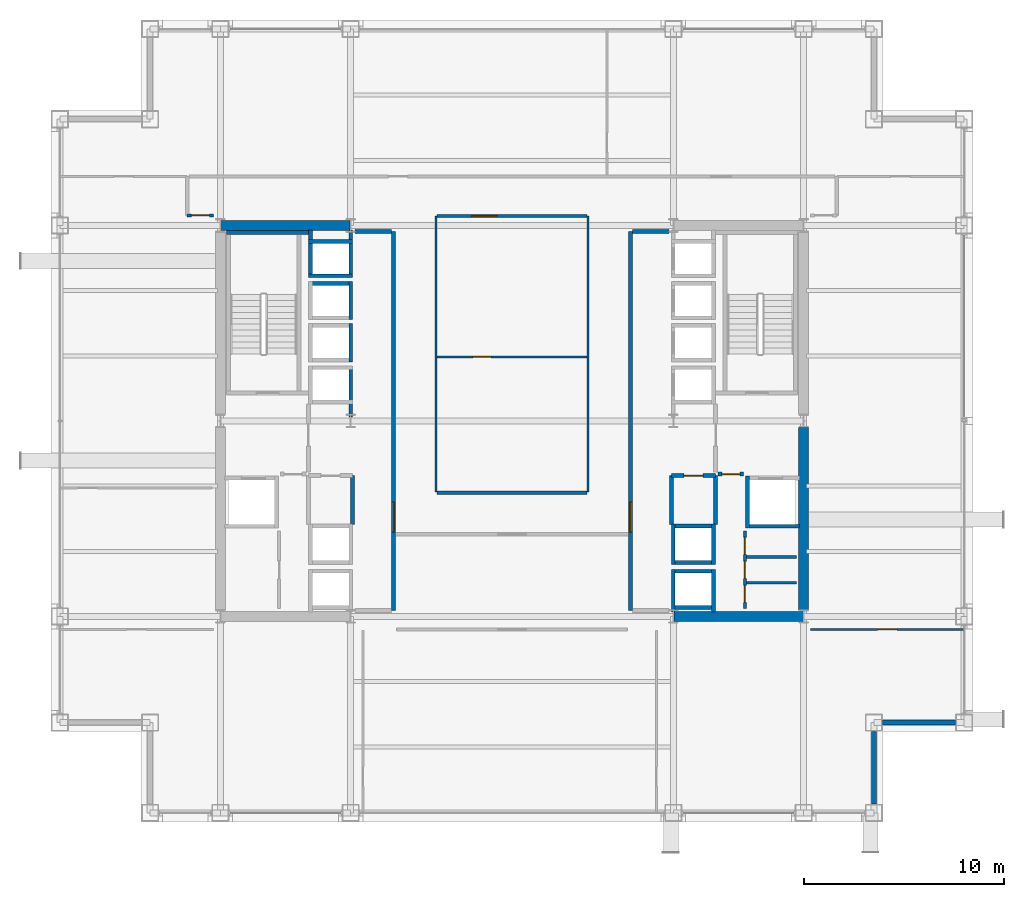
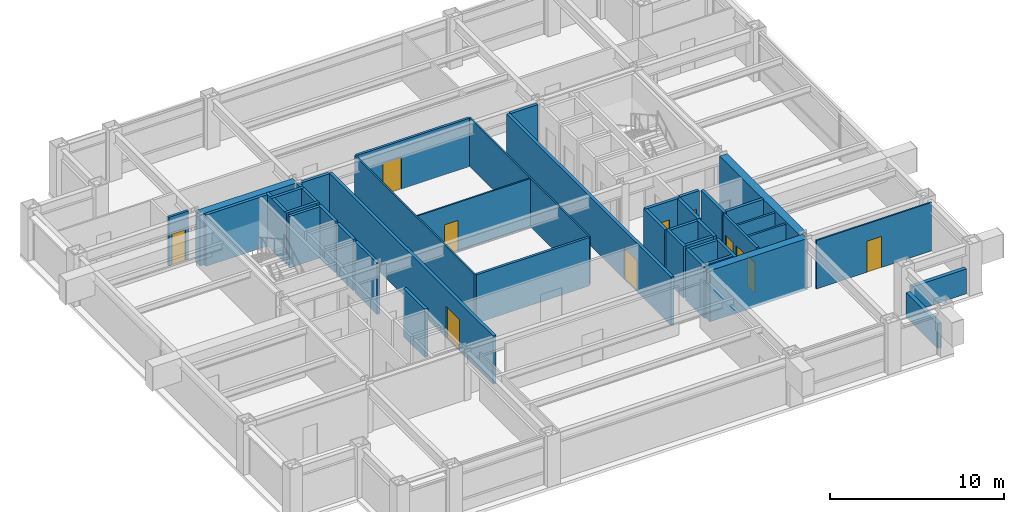
# One storey, part 25 of 28: 43 walls, 11 doors, 11 openings.
"""IFC4 building model written with IfcOpenShell, lengths in metres."""

from ifc_helpers import new_model, si_unit, direction, frame, frame_2d, origin, place, context, subcontext, project, spatial, rectangle, extrude, material, layer, layer_set, type_object, element, fill, save


model = new_model("IFC4")

# Units and contexts
model_context = context("Model", 3, precision=1e-05, world=origin(), true_north=direction((0.0, 1.0)))
body_context = subcontext(model_context, "Body", "Model", "MODEL_VIEW")
ifc_project = project(units=[si_unit("LENGTHUNIT", "METRE"), si_unit("AREAUNIT", "SQUARE_METRE"), si_unit("VOLUMEUNIT", "CUBIC_METRE"), si_unit("PLANEANGLEUNIT", "RADIAN"), si_unit("MASSUNIT", "GRAM", prefix="KILO")], contexts=[model_context])

# Site, building, storey
site_placement = place(None, origin())
site = spatial("IfcSite", under=ifc_project, at=site_placement, CompositionType="ELEMENT")
building_placement = place(site_placement, origin())
building = spatial("IfcBuilding", under=site, at=building_placement, Name="Brelmoor Portico Tower", CompositionType="ELEMENT")
storey_placement = place(building_placement, frame((0.0, 0.0, 91.800048828125)))
storey = spatial("IfcBuildingStorey", under=building, at=storey_placement, Name="L23", CompositionType="ELEMENT", Elevation=91.800048828125)

# Walls
ifc_material_1 = material(Name="Concrete C60", Category="concrete")
ifc_layer_1 = layer(ifc_material_1, 0.5)
ifc_layer_set_1 = layer_set([ifc_layer_1], Name="Concrete C60")
wall_type_1 = type_object("IfcWallType", Name="WL-CORE-500", PredefinedType="SHEAR", material=ifc_layer_set_1)
for number, where, z_axis, x_axis, name in (
    (1, (-14.530029296875, 9.75, -0.199951171875), (0.0, 0.0, 1.0), (1.0, 0.0, 0.0), "L23 WC North Shear Wall"),
    (2, (8.070068359375, -9.75, -0.199951171875), (0.0, 0.0, 1.0), (1.0, 0.0, 0.0), "L23 EC South Shear Wall"),
):
    element("IfcWall", number, at=place(storey_placement, frame(where, z_axis=z_axis, x_axis=x_axis)), inside=storey, type_object=wall_type_1, Name=name, PredefinedType="SHEAR", context=body_context, shape_type="SweptSolid", body=[
        extrude(rectangle(XDim=6.4599609375, YDim=0.5, at=frame_2d((3.22998046875, 0.0))), origin(), (0.0, 0.0, 1.0), 3.599853515625),
    ])
wall_1_placement = place(storey_placement, frame((14.550048828125, -9.425048828125, -0.199951171875), z_axis=(0.0, 0.0, 1.0), x_axis=(0.0, 1.0, 0.0)))
element("IfcWall", 3, at=wall_1_placement, inside=storey, type_object=wall_type_1, Name="L23 EC Outer South Shear Wall", PredefinedType="SHEAR", context=body_context, shape_type="SweptSolid", body=[
    extrude(rectangle(XDim=9.10009765625, YDim=0.5, at=frame_2d((4.550048828125, 0.0))), origin(), (0.0, 0.0, 1.0), 3.599853515625),
])
ifc_material_2 = material(Name="Precast Concrete C40 Insulated Facade Wall", Category="concrete")
ifc_layer_2 = layer(ifc_material_2, 0.25)
ifc_layer_set_2 = layer_set([ifc_layer_2], Name="Precast Concrete C40 Insulated Facade Wall")
wall_type_2 = type_object("IfcWallType", Name="WL-EXT-250", PredefinedType="STANDARD", material=ifc_layer_set_2)
for number, where, z_axis, x_axis, name in (
    (4, (18.485107421875, -15.050048828125, 0.0), (0.0, 0.0, 1.0), (1.0, 0.0, 0.0), "L23 Corner Notch Facade Wall NSEH1"),
    (5, (18.050048828125, -19.114990234375, 0.0), (0.0, 0.0, 1.0), (0.0, 1.0, 0.0), "L23 Corner Notch Facade Wall NSEV1"),
):
    element("IfcWall", number, at=place(storey_placement, frame(where, z_axis=z_axis, x_axis=x_axis)), inside=storey, type_object=wall_type_2, Name=name, PredefinedType="STANDARD", context=body_context, shape_type="SweptSolid", body=[
        extrude(rectangle(XDim=3.6298828125, YDim=0.25, at=frame_2d((1.81494140625, 0.0))), origin(), (0.0, 0.0, 1.0), 1.739990234375),
    ])
ifc_material_3 = material(Name="Demountable Glazed Office Partition", Category="aluminium")
ifc_layer_3 = layer(ifc_material_3, 0.10009765625)
ifc_layer_set_3 = layer_set([ifc_layer_3], Name="Demountable Glazed Office Partition")
wall_type_3 = type_object("IfcWallType", Name="WL-PART-100", PredefinedType="PARTITIONING", material=ifc_layer_set_3)
for number, where, z_axis, x_axis, name in (
    (6, (-3.800048828125, -3.550048828125, 0.0), (0.0, 0.0, 1.0), (0.0, 1.0, 0.0), "L23 Central Studio West Wall"),
    (7, (3.800048828125, -3.550048828125, 0.0), (0.0, 0.0, 1.0), (0.0, 1.0, 0.0), "L23 Central Studio East Wall"),
):
    element("IfcWall", number, at=place(storey_placement, frame(where, z_axis=z_axis, x_axis=x_axis)), inside=storey, type_object=wall_type_3, Name=name, PredefinedType="PARTITIONING", context=body_context, shape_type="SweptSolid", body=[
        extrude(rectangle(XDim=13.77001953125, YDim=0.10009765625, at=frame_2d((6.885009765625, 0.0))), origin(), (0.0, 0.0, 1.0), 3.39990234375),
    ])

# Wall, opening, door
wall_2_placement = place(storey_placement, frame((-3.75, 3.199951171875, 0.0), z_axis=(0.0, 0.0, 1.0), x_axis=(1.0, 0.0, 0.0)))
wall_2 = element("IfcWall", 8, at=wall_2_placement, inside=storey, type_object=wall_type_3, Name="L23 Central Pantry Divider", PredefinedType="PARTITIONING", context=body_context, shape_type="SweptSolid", body=[
    extrude(rectangle(XDim=7.5, YDim=0.10009765625, at=frame_2d((3.75, 0.0))), origin(), (0.0, 0.0, 1.0), 3.39990234375),
])
opening_1_placement = place(wall_2_placement, frame((1.800048828125, 0.0, 0.0)))
opening_1 = element("IfcOpeningElement", 9, at=opening_1_placement, cuts=wall_2, Name="Opening D-IN1", PredefinedType="OPENING", context=body_context, shape_type="SweptSolid", body=[
    extrude(rectangle(XDim=0.89990234375, YDim=2.14990234375, at=frame_2d((0.449951171875, 1.074951171875))), frame((0.0, 0.06005859375, 0.0), z_axis=(0.0, -1.0, 0.0), x_axis=(1.0, 0.0, 0.0)), (0.0, 0.0, 1.0), 0.1201171875),
])
ifc_material_4 = material(Name="Lacquered Timber Suite Door", Category="wood")
door_type_1 = type_object("IfcDoorType", Name="DR-INT-900", OperationType="NOTDEFINED", PredefinedType="DOOR", material=ifc_material_4)
door_1_placement = place(opening_1_placement, origin())
door_1 = element("IfcDoor", 10, at=door_1_placement, inside=storey, type_object=door_type_1, Name="D-1017 L23 Central Pantry Connecting Door", OperationType="SINGLE_SWING_RIGHT", OverallHeight=2.14990234375, OverallWidth=0.89990234375, PredefinedType="DOOR", context=body_context, shape_type="SweptSolid", body=[
    extrude(rectangle(XDim=0.89990234375, YDim=2.14990234375, at=frame_2d((0.449951171875, 1.074951171875))), frame((0.0, 0.02490234375, 0.0), z_axis=(0.0, -1.0, 0.0), x_axis=(1.0, 0.0, 0.0)), (0.0, 0.0, 1.0), 0.050048828125),
])
fill(opening_1, door_1)

wall_3_placement = place(storey_placement, frame((14.8798828125, -10.39990234375, 0.0), z_axis=(0.0, 0.0, 1.0), x_axis=(1.0, 0.0, 0.0)))
wall_3 = element("IfcWall", 11, at=wall_3_placement, inside=storey, type_object=wall_type_3, Name="L23 South Wing Closure ER", PredefinedType="PARTITIONING", context=body_context, shape_type="SweptSolid", body=[
    extrude(rectangle(XDim=7.68017578125, YDim=0.10009765625, at=frame_2d((3.840087890625, 0.0))), origin(), (0.0, 0.0, 1.0), 3.39990234375),
])
opening_2_placement = place(wall_3_placement, frame((3.360107421875, 0.0, 0.0)))
opening_2 = element("IfcOpeningElement", 12, at=opening_2_placement, cuts=wall_3, Name="Opening D-IN2", PredefinedType="OPENING", context=body_context, shape_type="SweptSolid", body=[
    extrude(rectangle(XDim=0.9599609375, YDim=2.179931640625, at=frame_2d((0.47998046875, 1.08984375))), frame((0.0, 0.06005859375, 0.0), z_axis=(0.0, -1.0, 0.0), x_axis=(1.0, 0.0, 0.0)), (0.0, 0.0, 1.0), 0.1201171875),
])
door_type_2 = type_object("IfcDoorType", Name="DR-INT-950", OperationType="NOTDEFINED", PredefinedType="DOOR", material=ifc_material_4)
door_2_placement = place(opening_2_placement, origin())
door_2 = element("IfcDoor", 13, at=door_2_placement, inside=storey, type_object=door_type_2, Name="D-1041 L23 ER Wing South Suite Door", OperationType="SINGLE_SWING_RIGHT", OverallHeight=2.179931640625, OverallWidth=0.9599609375, PredefinedType="DOOR", context=body_context, shape_type="SweptSolid", body=[
    extrude(rectangle(XDim=0.9599609375, YDim=2.179931640625, at=frame_2d((0.47998046875, 1.08984375))), frame((0.0, 0.02490234375, 0.0), z_axis=(0.0, -1.0, 0.0), x_axis=(1.0, 0.0, 0.0)), (0.0, 0.0, 1.0), 0.050048828125),
])
fill(opening_2, door_2)

# Walls
ifc_material_5 = material(Name="Insulated Stud Suite Partition", Category="gypsum")
ifc_layer_4 = layer(ifc_material_5, 0.139892578125)
ifc_layer_set_4 = layer_set([ifc_layer_4], Name="Insulated Stud Suite Partition")
wall_type_4 = type_object("IfcWallType", Name="WL-PART-140", PredefinedType="PARTITIONING", material=ifc_layer_set_4)
for number, where, z_axis, x_axis, name in (
    (14, (11.699951171875, -8.066650390625, 0.0), (0.0, 0.0, 1.0), (1.0, 0.0, 0.0), "L23 E Core WC Divider 1"),
    (15, (11.699951171875, -6.783203125, 0.0), (0.0, 0.0, 1.0), (1.0, 0.0, 0.0), "L23 E Core WC Divider 2"),
):
    element("IfcWall", number, at=place(storey_placement, frame(where, z_axis=z_axis, x_axis=x_axis)), inside=storey, type_object=wall_type_4, Name=name, PredefinedType="PARTITIONING", context=body_context, shape_type="SweptSolid", body=[
        extrude(rectangle(XDim=2.5, YDim=0.139892578125, at=frame_2d((1.25, 0.0))), origin(), (0.0, 0.0, 1.0), 3.39990234375),
    ])

# Wall, openings, doors
ifc_material_6 = material(Name="Twin-Frame Acoustic Partition", Category="gypsum")
ifc_layer_5 = layer(ifc_material_6, 0.159912109375)
ifc_layer_set_5 = layer_set([ifc_layer_5], Name="Twin-Frame Acoustic Partition")
wall_type_5 = type_object("IfcWallType", Name="WL-PART-160", PredefinedType="PARTITIONING", material=ifc_layer_set_5)
wall_4_placement = place(storey_placement, frame((11.6201171875, -9.35009765625, 0.0), z_axis=(0.0, 0.0, 1.0), x_axis=(0.0, 1.0, 0.0)))
wall_4 = element("IfcWall", 16, at=wall_4_placement, inside=storey, type_object=wall_type_5, Name="L23 E Core Service Front Wall", PredefinedType="PARTITIONING", context=body_context, shape_type="SweptSolid", body=[
    extrude(rectangle(XDim=3.85009765625, YDim=0.159912109375, at=frame_2d((1.925048828125, 0.0))), origin(), (0.0, 0.0, 1.0), 3.39990234375),
])
opening_3_placement = place(wall_4_placement, frame((0.300048828125, 0.0, 0.0)))
opening_3 = element("IfcOpeningElement", 17, at=opening_3_placement, cuts=wall_4, Name="Opening D-WC1", PredefinedType="OPENING", context=body_context, shape_type="SweptSolid", body=[
    extrude(rectangle(XDim=0.85009765625, YDim=2.1201171875, at=frame_2d((0.425048828125, 1.06005859375))), frame((0.0, 0.08984375, 0.0), z_axis=(0.0, -1.0, 0.0), x_axis=(1.0, 0.0, 0.0)), (0.0, 0.0, 1.0), 0.179931640625),
])
opening_4_placement = place(wall_4_placement, frame((1.5, 0.0, 0.0)))
opening_4 = element("IfcOpeningElement", 18, at=opening_4_placement, cuts=wall_4, Name="Opening D-WC1", PredefinedType="OPENING", context=body_context, shape_type="SweptSolid", body=[
    extrude(rectangle(XDim=0.85009765625, YDim=2.1201171875, at=frame_2d((0.425048828125, 1.06005859375))), frame((0.0, 0.08984375, 0.0), z_axis=(0.0, -1.0, 0.0), x_axis=(1.0, 0.0, 0.0)), (0.0, 0.0, 1.0), 0.179931640625),
])
opening_5_placement = place(wall_4_placement, frame((2.699951171875, 0.0, 0.0)))
opening_5 = element("IfcOpeningElement", 19, at=opening_5_placement, cuts=wall_4, Name="Opening D-WC1", PredefinedType="OPENING", context=body_context, shape_type="SweptSolid", body=[
    extrude(rectangle(XDim=0.85009765625, YDim=2.1201171875, at=frame_2d((0.425048828125, 1.06005859375))), frame((0.0, 0.08984375, 0.0), z_axis=(0.0, -1.0, 0.0), x_axis=(1.0, 0.0, 0.0)), (0.0, 0.0, 1.0), 0.179931640625),
])
ifc_material_7 = material(Name="Moisture-Resistant Laminate WC Door", Category="timber")
door_type_3 = type_object("IfcDoorType", Name="DR-WC-850", OperationType="NOTDEFINED", PredefinedType="DOOR", material=ifc_material_7)
door_3_placement = place(opening_3_placement, origin())
door_3 = element("IfcDoor", 20, at=door_3_placement, inside=storey, type_object=door_type_3, Name="D-1019 L23 E Male WC Door", OperationType="SINGLE_SWING_LEFT", OverallHeight=2.1201171875, OverallWidth=0.85009765625, PredefinedType="DOOR", context=body_context, shape_type="SweptSolid", body=[
    extrude(rectangle(XDim=0.85009765625, YDim=2.1201171875, at=frame_2d((0.425048828125, 1.06005859375))), frame((0.0, 0.02490234375, 0.0), z_axis=(0.0, -1.0, 0.0), x_axis=(1.0, 0.0, 0.0)), (0.0, 0.0, 1.0), 0.050048828125),
])
fill(opening_3, door_3)
door_4_placement = place(opening_4_placement, origin())
door_4 = element("IfcDoor", 21, at=door_4_placement, inside=storey, type_object=door_type_3, Name="D-1020 L23 E Female WC Door", OperationType="SINGLE_SWING_RIGHT", OverallHeight=2.1201171875, OverallWidth=0.85009765625, PredefinedType="DOOR", context=body_context, shape_type="SweptSolid", body=[
    extrude(rectangle(XDim=0.85009765625, YDim=2.1201171875, at=frame_2d((0.425048828125, 1.06005859375))), frame((0.0, 0.02490234375, 0.0), z_axis=(0.0, -1.0, 0.0), x_axis=(1.0, 0.0, 0.0)), (0.0, 0.0, 1.0), 0.050048828125),
])
fill(opening_4, door_4)
door_5_placement = place(opening_5_placement, origin())
door_5 = element("IfcDoor", 22, at=door_5_placement, inside=storey, type_object=door_type_3, Name="D-1021 L23 E Janitor Store Door", OperationType="SINGLE_SWING_LEFT", OverallHeight=2.1201171875, OverallWidth=0.85009765625, PredefinedType="DOOR", context=body_context, shape_type="SweptSolid", body=[
    extrude(rectangle(XDim=0.85009765625, YDim=2.1201171875, at=frame_2d((0.425048828125, 1.06005859375))), frame((0.0, 0.02490234375, 0.0), z_axis=(0.0, -1.0, 0.0), x_axis=(1.0, 0.0, 0.0)), (0.0, 0.0, 1.0), 0.050048828125),
])
fill(opening_5, door_5)

# Wall
wall_5_placement = place(storey_placement, frame((-3.75, -3.580078125, 0.0), z_axis=(0.0, 0.0, 1.0), x_axis=(1.0, 0.0, 0.0)))
element("IfcWall", 23, at=wall_5_placement, inside=storey, type_object=wall_type_5, Name="L23 Central Studio South Wall", PredefinedType="PARTITIONING", context=body_context, shape_type="SweptSolid", body=[
    extrude(rectangle(XDim=7.5, YDim=0.159912109375, at=frame_2d((3.75, 0.0))), origin(), (0.0, 0.0, 1.0), 3.39990234375),
])

# Wall, opening, door
wall_6_placement = place(storey_placement, frame((-3.75, 10.219970703125, 0.0), z_axis=(0.0, 0.0, 1.0), x_axis=(1.0, 0.0, 0.0)))
wall_6 = element("IfcWall", 24, at=wall_6_placement, inside=storey, type_object=wall_type_5, Name="L23 Central Meeting North Wall", PredefinedType="PARTITIONING", context=body_context, shape_type="SweptSolid", body=[
    extrude(rectangle(XDim=7.5, YDim=0.159912109375, at=frame_2d((3.75, 0.0))), origin(), (0.0, 0.0, 1.0), 3.39990234375),
])
opening_6_placement = place(wall_6_placement, frame((1.75, 0.0, 0.0)))
opening_6 = element("IfcOpeningElement", 25, at=opening_6_placement, cuts=wall_6, Name="Opening D-SU1", PredefinedType="OPENING", context=body_context, shape_type="SweptSolid", body=[
    extrude(rectangle(XDim=1.239990234375, YDim=2.239990234375, at=frame_2d((0.6201171875, 1.1201171875))), frame((0.0, 0.08984375, 0.0), z_axis=(0.0, -1.0, 0.0), x_axis=(1.0, 0.0, 0.0)), (0.0, 0.0, 1.0), 0.179931640625),
])
ifc_material_8 = material(Name="Glazed Timber Executive Suite Door", Category="wood")
door_type_4 = type_object("IfcDoorType", Name="DR-SUITE-1200", OperationType="NOTDEFINED", PredefinedType="DOOR", material=ifc_material_8)
door_6_placement = place(opening_6_placement, origin())
door_6 = element("IfcDoor", 26, at=door_6_placement, inside=storey, type_object=door_type_4, Name="D-1018 L23 Client Meeting Room Door", OperationType="SINGLE_SWING_LEFT", OverallHeight=2.239990234375, OverallWidth=1.239990234375, PredefinedType="DOOR", context=body_context, shape_type="SweptSolid", body=[
    extrude(rectangle(XDim=1.239990234375, YDim=2.239990234375, at=frame_2d((0.6201171875, 1.1201171875))), frame((0.0, 0.02490234375, 0.0), z_axis=(0.0, -1.0, 0.0), x_axis=(1.0, 0.0, 0.0)), (0.0, 0.0, 1.0), 0.050048828125),
])
fill(opening_6, door_6)

wall_7_placement = place(storey_placement, frame((-16.199951171875, 10.25, 0.0), z_axis=(0.0, 0.0, 1.0), x_axis=(1.0, 0.0, 0.0)))
wall_7 = element("IfcWall", 27, at=wall_7_placement, inside=storey, type_object=wall_type_5, Name="L23 W Wing North Entry Wall", PredefinedType="PARTITIONING", context=body_context, shape_type="SweptSolid", body=[
    extrude(rectangle(XDim=1.320068359375, YDim=0.159912109375, at=frame_2d((0.66015625, 0.0))), origin(), (0.0, 0.0, 1.0), 3.39990234375),
])
opening_7_placement = place(wall_7_placement, frame((0.2099609375, 0.0, 0.0)))
opening_7 = element("IfcOpeningElement", 28, at=opening_7_placement, cuts=wall_7, Name="Opening D-IN1", PredefinedType="OPENING", context=body_context, shape_type="SweptSolid", body=[
    extrude(rectangle(XDim=0.89990234375, YDim=2.14990234375, at=frame_2d((0.449951171875, 1.074951171875))), frame((0.0, 0.08984375, 0.0), z_axis=(0.0, -1.0, 0.0), x_axis=(1.0, 0.0, 0.0)), (0.0, 0.0, 1.0), 0.179931640625),
])
door_7_placement = place(opening_7_placement, origin())
door_7 = element("IfcDoor", 29, at=door_7_placement, inside=storey, type_object=door_type_1, Name="D-1044 L23 W Wing Entry Door", OperationType="SINGLE_SWING_LEFT", OverallHeight=2.14990234375, OverallWidth=0.89990234375, PredefinedType="DOOR", context=body_context, shape_type="SweptSolid", body=[
    extrude(rectangle(XDim=0.89990234375, YDim=2.14990234375, at=frame_2d((0.449951171875, 1.074951171875))), frame((0.0, 0.02490234375, 0.0), z_axis=(0.0, -1.0, 0.0), x_axis=(1.0, 0.0, 0.0)), (0.0, 0.0, 1.0), 0.050048828125),
])
fill(opening_7, door_7)

ifc_material_9 = material(Name="Double-Stud Gypsum Fire Partition", Category="gypsum")
ifc_layer_6 = layer(ifc_material_9, 0.199951171875)
ifc_layer_set_6 = layer_set([ifc_layer_6], Name="Double-Stud Gypsum Fire Partition")
wall_type_6 = type_object("IfcWallType", Name="WL-PART-200", PredefinedType="PARTITIONING", material=ifc_layer_set_6)
wall_8_placement = place(storey_placement, frame((-5.89990234375, -9.449951171875, 0.0), z_axis=(0.0, 0.0, 1.0), x_axis=(0.0, 1.0, 0.0)))
wall_8 = element("IfcWall", 30, at=wall_8_placement, inside=storey, type_object=wall_type_6, Name="L23 W Core Lobby Compartment Wall", PredefinedType="PARTITIONING", context=body_context, shape_type="SweptSolid", body=[
    extrude(rectangle(XDim=18.89990234375, YDim=0.199951171875, at=frame_2d((9.449951171875, 0.0))), origin(), (0.0, 0.0, 1.0), 3.39990234375),
])
opening_8_placement = place(wall_8_placement, frame((3.89990234375, 0.0, 0.0)))
opening_8 = element("IfcOpeningElement", 31, at=opening_8_placement, cuts=wall_8, Name="Opening D-LB1", PredefinedType="OPENING", context=body_context, shape_type="SweptSolid", body=[
    extrude(rectangle(XDim=1.5, YDim=2.199951171875, at=frame_2d((0.75, 1.10009765625))), frame((0.0, 0.10986328125, 0.0), z_axis=(0.0, -1.0, 0.0), x_axis=(1.0, 0.0, 0.0)), (0.0, 0.0, 1.0), 0.219970703125),
])
ifc_material_10 = material(Name="Double-Leaf Glazed Steel Fire Door", Category="steel")
door_type_5 = type_object("IfcDoorType", Name="DR-LOBBY-1500", OperationType="NOTDEFINED", PredefinedType="DOOR", material=ifc_material_10)
door_8_placement = place(opening_8_placement, origin())
door_8 = element("IfcDoor", 32, at=door_8_placement, inside=storey, type_object=door_type_5, Name="D-1030 L23 W Lift Lobby Main Door", OperationType="DOUBLE_DOOR_SINGLE_SWING", OverallHeight=2.199951171875, OverallWidth=1.5, PredefinedType="DOOR", context=body_context, shape_type="SweptSolid", body=[
    extrude(rectangle(XDim=1.5, YDim=2.199951171875, at=frame_2d((0.75, 1.10009765625))), frame((0.0, 0.02490234375, 0.0), z_axis=(0.0, -1.0, 0.0), x_axis=(1.0, 0.0, 0.0)), (0.0, 0.0, 1.0), 0.050048828125),
])
fill(opening_8, door_8)

# Walls
wall_9_placement = place(storey_placement, frame((-6.02001953125, 9.449951171875, 0.0), z_axis=(0.0, 0.0, 1.0), x_axis=(-1.0, 0.0, 0.0)))
element("IfcWall", 33, at=wall_9_placement, inside=storey, type_object=wall_type_6, Name="L23 W Lift Lobby North End Wall", PredefinedType="PARTITIONING", context=body_context, shape_type="SweptSolid", body=[
    extrude(rectangle(XDim=1.800048828125, YDim=0.199951171875, at=frame_2d((0.89990234375, 0.0))), origin(), (0.0, 0.0, 1.0), 3.39990234375),
])
wall_10_placement = place(storey_placement, frame((-7.9599609375, -5.159912109375, 0.0), z_axis=(0.0, 0.0, 1.0), x_axis=(0.0, 1.0, 0.0)))
element("IfcWall", 34, at=wall_10_placement, inside=storey, type_object=wall_type_6, Name="L23 W Electrical Switchgear Closet Inner Wall", PredefinedType="PARTITIONING", context=body_context, shape_type="SweptSolid", body=[
    extrude(rectangle(XDim=2.43994140625, YDim=0.199951171875, at=frame_2d((1.219970703125, 0.0))), origin(), (0.0, 0.0, 1.0), 3.39990234375),
])

# Wall, opening, door
wall_11_placement = place(storey_placement, frame((5.89990234375, -9.449951171875, 0.0), z_axis=(0.0, 0.0, 1.0), x_axis=(0.0, 1.0, 0.0)))
wall_11 = element("IfcWall", 35, at=wall_11_placement, inside=storey, type_object=wall_type_6, Name="L23 E Core Lobby Compartment Wall", PredefinedType="PARTITIONING", context=body_context, shape_type="SweptSolid", body=[
    extrude(rectangle(XDim=18.89990234375, YDim=0.199951171875, at=frame_2d((9.449951171875, 0.0))), origin(), (0.0, 0.0, 1.0), 3.39990234375),
])
opening_9_placement = place(wall_11_placement, frame((3.89990234375, 0.0, 0.0)))
opening_9 = element("IfcOpeningElement", 36, at=opening_9_placement, cuts=wall_11, Name="Opening D-LB1", PredefinedType="OPENING", context=body_context, shape_type="SweptSolid", body=[
    extrude(rectangle(XDim=1.5, YDim=2.199951171875, at=frame_2d((0.75, 1.10009765625))), frame((0.0, 0.10986328125, 0.0), z_axis=(0.0, -1.0, 0.0), x_axis=(1.0, 0.0, 0.0)), (0.0, 0.0, 1.0), 0.219970703125),
])
door_9_placement = place(opening_9_placement, origin())
door_9 = element("IfcDoor", 37, at=door_9_placement, inside=storey, type_object=door_type_5, Name="D-1029 L23 E Lift Lobby Main Door", OperationType="DOUBLE_DOOR_SINGLE_SWING", OverallHeight=2.199951171875, OverallWidth=1.5, PredefinedType="DOOR", context=body_context, shape_type="SweptSolid", body=[
    extrude(rectangle(XDim=1.5, YDim=2.199951171875, at=frame_2d((0.75, 1.10009765625))), frame((0.0, 0.02490234375, 0.0), z_axis=(0.0, -1.0, 0.0), x_axis=(1.0, 0.0, 0.0)), (0.0, 0.0, 1.0), 0.050048828125),
])
fill(opening_9, door_9)

# Wall
wall_12_placement = place(storey_placement, frame((6.02001953125, 9.449951171875, 0.0), z_axis=(0.0, 0.0, 1.0), x_axis=(1.0, 0.0, 0.0)))
element("IfcWall", 38, at=wall_12_placement, inside=storey, type_object=wall_type_6, Name="L23 E Lift Lobby North End Wall", PredefinedType="PARTITIONING", context=body_context, shape_type="SweptSolid", body=[
    extrude(rectangle(XDim=1.800048828125, YDim=0.199951171875, at=frame_2d((0.89990234375, 0.0))), origin(), (0.0, 0.0, 1.0), 3.39990234375),
])

# Wall, opening, door
wall_13_placement = place(storey_placement, frame((10.280029296875, -2.64990234375, 0.0), z_axis=(0.0, 0.0, 1.0), x_axis=(1.0, 0.0, 0.0)))
wall_13 = element("IfcWall", 39, at=wall_13_placement, inside=storey, type_object=wall_type_6, Name="L23 E Firefighting Lobby South Wall", PredefinedType="PARTITIONING", context=body_context, shape_type="SweptSolid", body=[
    extrude(rectangle(XDim=1.27001953125, YDim=0.199951171875, at=frame_2d((0.635009765625, 0.0))), origin(), (0.0, 0.0, 1.0), 3.39990234375),
])
opening_10_placement = place(wall_13_placement, frame((0.18505859375, 0.0, 0.0)))
opening_10 = element("IfcOpeningElement", 40, at=opening_10_placement, cuts=wall_13, Name="Opening D-IN1", PredefinedType="OPENING", context=body_context, shape_type="SweptSolid", body=[
    extrude(rectangle(XDim=0.89990234375, YDim=2.14990234375, at=frame_2d((0.449951171875, 1.074951171875))), frame((0.0, 0.10986328125, 0.0), z_axis=(0.0, -1.0, 0.0), x_axis=(1.0, 0.0, 0.0)), (0.0, 0.0, 1.0), 0.219970703125),
])
door_10_placement = place(opening_10_placement, origin())
door_10 = element("IfcDoor", 41, at=door_10_placement, inside=storey, type_object=door_type_1, Name="D-1022 L23 E Core Service Vestibule Door", OperationType="SINGLE_SWING_LEFT", OverallHeight=2.14990234375, OverallWidth=0.89990234375, PredefinedType="DOOR", context=body_context, shape_type="SweptSolid", body=[
    extrude(rectangle(XDim=0.89990234375, YDim=2.14990234375, at=frame_2d((0.449951171875, 1.074951171875))), frame((0.0, 0.02490234375, 0.0), z_axis=(0.0, -1.0, 0.0), x_axis=(1.0, 0.0, 0.0)), (0.0, 0.0, 1.0), 0.050048828125),
])
fill(opening_10, door_10)

wall_14_placement = place(storey_placement, frame((7.9599609375, -2.719970703125, 0.0), z_axis=(0.0, 0.0, 1.0), x_axis=(1.0, 0.0, 0.0)))
wall_14 = element("IfcWall", 42, at=wall_14_placement, inside=storey, type_object=wall_type_6, Name="L23 E Electrical Switchgear Closet Wall", PredefinedType="PARTITIONING", context=body_context, shape_type="SweptSolid", body=[
    extrude(rectangle(XDim=2.199951171875, YDim=0.199951171875, at=frame_2d((1.10009765625, 0.0))), origin(), (0.0, 0.0, 1.0), 3.39990234375),
])
opening_11_placement = place(wall_14_placement, frame((0.6201171875, 0.0, 0.0)))
opening_11 = element("IfcOpeningElement", 43, at=opening_11_placement, cuts=wall_14, Name="Opening D-FR4", PredefinedType="OPENING", context=body_context, shape_type="SweptSolid", body=[
    extrude(rectangle(XDim=0.949951171875, YDim=2.10009765625, at=frame_2d((0.47509765625, 1.050048828125))), frame((0.0, 0.10986328125, 0.0), z_axis=(0.0, -1.0, 0.0), x_axis=(1.0, 0.0, 0.0)), (0.0, 0.0, 1.0), 0.219970703125),
])
ifc_material_11 = material(Name="Painted Galvanised Steel Riser Door", Category="steel")
door_type_6 = type_object("IfcDoorType", Name="DR-FIRE-950", OperationType="NOTDEFINED", PredefinedType="DOOR", material=ifc_material_11)
door_11_placement = place(opening_11_placement, origin())
door_11 = element("IfcDoor", 44, at=door_11_placement, inside=storey, type_object=door_type_6, Name="D-1025 L23 E Electrical Switchgear Closet Door", OperationType="SINGLE_SWING_RIGHT", OverallHeight=2.10009765625, OverallWidth=0.949951171875, PredefinedType="DOOR", context=body_context, shape_type="SweptSolid", body=[
    extrude(rectangle(XDim=0.949951171875, YDim=2.10009765625, at=frame_2d((0.47509765625, 1.050048828125))), frame((0.0, 0.02490234375, 0.0), z_axis=(0.0, -1.0, 0.0), x_axis=(1.0, 0.0, 0.0)), (0.0, 0.0, 1.0), 0.050048828125),
])
fill(opening_11, door_11)

# Walls
for number, where, z_axis, x_axis, name in (
    (45, (7.9599609375, -5.159912109375, 0.0), (0.0, 0.0, 1.0), (0.0, 1.0, 0.0), "L23 E Electrical Switchgear Closet Inner Wall"),
    (46, (10.159912109375, -5.159912109375, 0.0), (0.0, 0.0, 1.0), (0.0, 1.0, 0.0), "L23 E Electrical Switchgear Closet Outer Wall"),
):
    element("IfcWall", number, at=place(storey_placement, frame(where, z_axis=z_axis, x_axis=x_axis)), inside=storey, type_object=wall_type_6, Name=name, PredefinedType="PARTITIONING", context=body_context, shape_type="SweptSolid", body=[
        extrude(rectangle(XDim=2.43994140625, YDim=0.199951171875, at=frame_2d((1.219970703125, 0.0))), origin(), (0.0, 0.0, 1.0), 3.39990234375),
    ])
ifc_material_12 = material(Name="Precast Concrete C40", Category="concrete")
ifc_layer_7 = layer(ifc_material_12, 0.18994140625)
ifc_layer_set_7 = layer_set([ifc_layer_7], Name="Precast Concrete C40")
wall_type_7 = type_object("IfcWallType", Name="WL-SHAFT-180", PredefinedType="SOLIDWALL", material=ifc_layer_set_7)
wall_15_placement = place(storey_placement, frame((-8.044921875, 0.2099609375, -0.199951171875), z_axis=(0.0, 0.0, 1.0), x_axis=(0.0, 1.0, 0.0)))
element("IfcWall", 47, at=wall_15_placement, inside=storey, type_object=wall_type_7, Name="L23 Lift PL1 Hoistway Front Wall", PredefinedType="SOLIDWALL", context=body_context, shape_type="SweptSolid", body=[
    extrude(rectangle(XDim=2.5400390625, YDim=0.18994140625, at=frame_2d((1.27001953125, 0.0))), origin(), (0.0, 0.0, 1.0), 3.599853515625),
])
wall_16_placement = place(storey_placement, frame((-8.044921875, 2.949951171875, -0.199951171875), z_axis=(0.0, 0.0, 1.0), x_axis=(0.0, 1.0, 0.0)))
element("IfcWall", 48, at=wall_16_placement, inside=storey, type_object=wall_type_7, Name="L23 Lift PL2 Hoistway Front Wall", PredefinedType="SOLIDWALL", context=body_context, shape_type="SweptSolid", body=[
    extrude(rectangle(XDim=1.900146484375, YDim=0.18994140625, at=frame_2d((0.9501953125, 0.0))), origin(), (0.0, 0.0, 1.0), 3.599853515625),
])
wall_17_placement = place(storey_placement, frame((-8.044921875, 5.050048828125, -0.199951171875), z_axis=(0.0, 0.0, 1.0), x_axis=(0.0, 1.0, 0.0)))
element("IfcWall", 49, at=wall_17_placement, inside=storey, type_object=wall_type_7, Name="L23 Lift PL3 Hoistway Front Wall", PredefinedType="SOLIDWALL", context=body_context, shape_type="SweptSolid", body=[
    extrude(rectangle(XDim=1.89990234375, YDim=0.18994140625, at=frame_2d((0.949951171875, 0.0))), origin(), (0.0, 0.0, 1.0), 3.599853515625),
])
wall_18_placement = place(storey_placement, frame((-10.14990234375, 6.85498046875, -0.199951171875), z_axis=(0.0, 0.0, 1.0), x_axis=(1.0, 0.0, 0.0)))
element("IfcWall", 50, at=wall_18_placement, inside=storey, type_object=wall_type_7, Name="L23 Lift PL3 Hoistway North Wall", PredefinedType="SOLIDWALL", context=body_context, shape_type="SweptSolid", body=[
    extrude(rectangle(XDim=2.199951171875, YDim=0.18994140625, at=frame_2d((1.10009765625, 0.0))), origin(), (0.0, 0.0, 1.0), 3.599853515625),
])
for number, where, z_axis, x_axis, name in (
    (51, (-8.044921875, 7.14990234375, -0.199951171875), (0.0, 0.0, 1.0), (0.0, 1.0, 0.0), "L23 Lift PL4 Hoistway Front Wall"),
    (52, (-10.054931640625, 7.14990234375, -0.199951171875), (0.0, 0.0, 1.0), (0.0, 1.0, 0.0), "L23 Lift PL4 Hoistway Back Wall"),
):
    element("IfcWall", number, at=place(storey_placement, frame(where, z_axis=z_axis, x_axis=x_axis)), inside=storey, type_object=wall_type_7, Name=name, PredefinedType="SOLIDWALL", context=body_context, shape_type="SweptSolid", body=[
        extrude(rectangle(XDim=2.3701171875, YDim=0.18994140625, at=frame_2d((1.18505859375, 0.0))), origin(), (0.0, 0.0, 1.0), 3.599853515625),
    ])
for number, where, z_axis, x_axis, name in (
    (53, (-10.14990234375, 8.955078125, -0.199951171875), (0.0, 0.0, 1.0), (1.0, 0.0, 0.0), "L23 Lift PL4 Hoistway North Wall"),
    (54, (-10.14990234375, 7.2451171875, -0.199951171875), (0.0, 0.0, 1.0), (1.0, 0.0, 0.0), "L23 Lift PL4 Hoistway South Wall"),
):
    element("IfcWall", number, at=place(storey_placement, frame(where, z_axis=z_axis, x_axis=x_axis)), inside=storey, type_object=wall_type_7, Name=name, PredefinedType="SOLIDWALL", context=body_context, shape_type="SweptSolid", body=[
        extrude(rectangle(XDim=2.199951171875, YDim=0.18994140625, at=frame_2d((1.10009765625, 0.0))), origin(), (0.0, 0.0, 1.0), 3.599853515625),
    ])
for number, where, z_axis, x_axis, name in (
    (55, (8.044921875, -9.52001953125, -0.199951171875), (0.0, 0.0, 1.0), (0.0, 1.0, 0.0), "L23 Lift PH3 Hoistway Front Wall"),
    (56, (10.054931640625, -9.52001953125, -0.199951171875), (0.0, 0.0, 1.0), (0.0, 1.0, 0.0), "L23 Lift PH3 Hoistway Back Wall"),
):
    element("IfcWall", number, at=place(storey_placement, frame(where, z_axis=z_axis, x_axis=x_axis)), inside=storey, type_object=wall_type_7, Name=name, PredefinedType="SOLIDWALL", context=body_context, shape_type="SweptSolid", body=[
        extrude(rectangle(XDim=2.1201171875, YDim=0.18994140625, at=frame_2d((1.06005859375, 0.0))), origin(), (0.0, 0.0, 1.0), 3.599853515625),
    ])
for number, where, z_axis, x_axis, name in (
    (57, (7.949951171875, -7.4951171875, -0.199951171875), (0.0, 0.0, 1.0), (1.0, 0.0, 0.0), "L23 Lift PH3 Hoistway North Wall"),
    (58, (7.949951171875, -9.304931640625, -0.199951171875), (0.0, 0.0, 1.0), (1.0, 0.0, 0.0), "L23 Lift PH3 Hoistway South Wall"),
):
    element("IfcWall", number, at=place(storey_placement, frame(where, z_axis=z_axis, x_axis=x_axis)), inside=storey, type_object=wall_type_7, Name=name, PredefinedType="SOLIDWALL", context=body_context, shape_type="SweptSolid", body=[
        extrude(rectangle(XDim=2.199951171875, YDim=0.18994140625, at=frame_2d((1.10009765625, 0.0))), origin(), (0.0, 0.0, 1.0), 3.599853515625),
    ])
for number, where, z_axis, x_axis, name in (
    (59, (8.044921875, -7.14990234375, -0.199951171875), (0.0, 0.0, 1.0), (0.0, 1.0, 0.0), "L23 Lift PH4 Hoistway Front Wall"),
    (60, (10.054931640625, -7.14990234375, -0.199951171875), (0.0, 0.0, 1.0), (0.0, 1.0, 0.0), "L23 Lift PH4 Hoistway Back Wall"),
):
    element("IfcWall", number, at=place(storey_placement, frame(where, z_axis=z_axis, x_axis=x_axis)), inside=storey, type_object=wall_type_7, Name=name, PredefinedType="SOLIDWALL", context=body_context, shape_type="SweptSolid", body=[
        extrude(rectangle(XDim=2.0, YDim=0.18994140625, at=frame_2d((1.0, 0.0))), origin(), (0.0, 0.0, 1.0), 3.599853515625),
    ])
for number, where, z_axis, x_axis, name in (
    (61, (7.949951171875, -5.2451171875, -0.199951171875), (0.0, 0.0, 1.0), (1.0, 0.0, 0.0), "L23 Lift PH4 Hoistway North Wall"),
    (62, (7.949951171875, -7.054931640625, -0.199951171875), (0.0, 0.0, 1.0), (1.0, 0.0, 0.0), "L23 Lift PH4 Hoistway South Wall"),
):
    element("IfcWall", number, at=place(storey_placement, frame(where, z_axis=z_axis, x_axis=x_axis)), inside=storey, type_object=wall_type_7, Name=name, PredefinedType="SOLIDWALL", context=body_context, shape_type="SweptSolid", body=[
        extrude(rectangle(XDim=2.199951171875, YDim=0.18994140625, at=frame_2d((1.10009765625, 0.0))), origin(), (0.0, 0.0, 1.0), 3.599853515625),
    ])
wall_19_placement = place(storey_placement, frame((11.64990234375, -5.2548828125, -0.199951171875), z_axis=(0.0, 0.0, 1.0), x_axis=(1.0, 0.0, 0.0)))
element("IfcWall", 63, at=wall_19_placement, inside=storey, type_object=wall_type_7, Name="L23 Firefighting Lift FF2 South Wall", PredefinedType="SOLIDWALL", context=body_context, shape_type="SweptSolid", body=[
    extrude(rectangle(XDim=2.68017578125, YDim=0.18994140625, at=frame_2d((1.340087890625, 0.0))), origin(), (0.0, 0.0, 1.0), 3.599853515625),
])
wall_20_placement = place(storey_placement, frame((11.7451171875, -5.35009765625, -0.199951171875), z_axis=(0.0, 0.0, 1.0), x_axis=(0.0, 1.0, 0.0)))
element("IfcWall", 64, at=wall_20_placement, inside=storey, type_object=wall_type_7, Name="L23 Firefighting Lift FF2 Inner Wall", PredefinedType="SOLIDWALL", context=body_context, shape_type="SweptSolid", body=[
    extrude(rectangle(XDim=2.60009765625, YDim=0.18994140625, at=frame_2d((1.300048828125, 0.0))), origin(), (0.0, 0.0, 1.0), 3.599853515625),
])
ifc_material_13 = material(Name="Concrete C40", Category="concrete")
ifc_layer_8 = layer(ifc_material_13, 0.199951171875)
ifc_layer_set_8 = layer_set([ifc_layer_8], Name="Concrete C40")
wall_type_8 = type_object("IfcWallType", Name="WL-SHAFT-RC200", PredefinedType="SOLIDWALL", material=ifc_layer_set_8)
wall_21_placement = place(storey_placement, frame((-14.25, 9.39990234375, -0.199951171875), z_axis=(0.0, 0.0, 1.0), x_axis=(1.0, 0.0, 0.0)))
element("IfcWall", 65, at=wall_21_placement, inside=storey, type_object=wall_type_8, Name="L23 ST-W Structural Stair Wall N", PredefinedType="SOLIDWALL", context=body_context, shape_type="SweptSolid", body=[
    extrude(rectangle(XDim=4.10009765625, YDim=0.199951171875, at=frame_2d((2.050048828125, 0.0))), origin(), (0.0, 0.0, 1.0), 3.599853515625),
])

save(model, "model.ifc")
